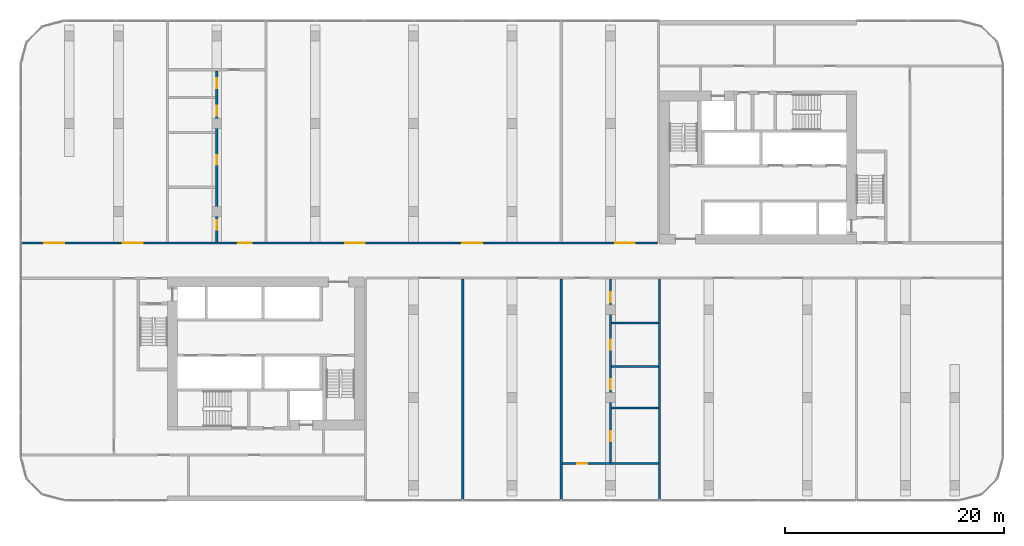
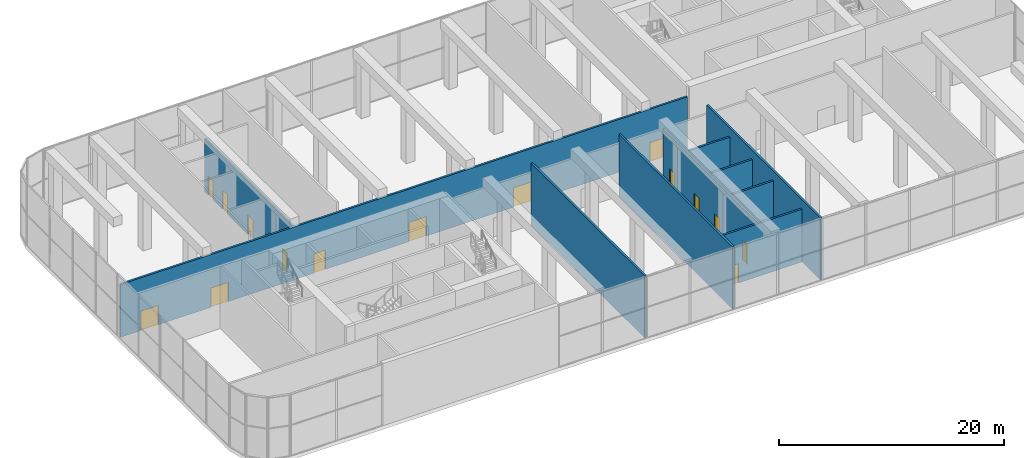
# One storey, part 13 of 23: 15 doors, 10 walls, 15 openings.
"""IFC4 building model written with IfcOpenShell, lengths in metres."""

import ifcopenshell
import ifcopenshell.guid

model = None  # the IFC model being written
_history = None  # IfcOwnerHistory: only IFC2X3 demands one
_inside = {}  # id of a spatial element -> (the spatial element, [elements in it])
_under = {}  # id of a project, library or spatial element -> (it, [spatial elements below it])
_declared = {}  # id of a project -> (the project, [libraries it declares])
_typed = {}  # id of a type object -> (the type object, [elements of that type])
_made_of = {}  # id of a material, layer set ... -> (it, [elements and type objects made of it])


def new_model(schema):
    """Start an empty IFC model of exactly this schema.

    Asked for "IFC4X3", IfcOpenShell would pick the latest addendum, in which some entities
    have other attributes; the version numbers below select the first issue.
    IFC2X3 requires an IfcOwnerHistory on every rooted entity: one is made here for all.
    """
    global model, _history
    if schema == "IFC4X3":
        model = ifcopenshell.file(schema_version=(4, 3, 0, 0))
    else:
        model = ifcopenshell.file(schema=schema)
    _inside.clear()
    _under.clear()
    _declared.clear()
    _typed.clear()
    _made_of.clear()
    _history = None
    if model.schema == "IFC2X3":
        org = make("IfcOrganization", Name="unknown")
        user = make(
            "IfcPersonAndOrganization",
            ThePerson=make("IfcPerson", FamilyName="unknown"),
            TheOrganization=org,
        )
        app = make(
            "IfcApplication",
            ApplicationDeveloper=org,
            Version="unknown",
            ApplicationFullName="unknown",
            ApplicationIdentifier="unknown",
        )
        _history = make(
            "IfcOwnerHistory",
            OwningUser=user,
            OwningApplication=app,
            ChangeAction="ADDED",
            CreationDate=0,
        )
    return model


def make(cls, **values):
    """One entity of the class cls with the attributes given. An attribute that is None is left unset."""
    return model.create_entity(
        cls, **{name: value for name, value in values.items() if value is not None}
    )


def rooted(cls, **values):
    """An entity with a GlobalId (a new one), such as an element, a storey or a relation."""
    return make(cls, GlobalId=ifcopenshell.guid.new(), OwnerHistory=_history, **values)


def si_unit(unit_type, name, prefix=None):
    """IfcSIUnit, for example si_unit("LENGTHUNIT", "METRE", prefix="MILLI")."""
    return make("IfcSIUnit", UnitType=unit_type, Prefix=prefix, Name=name)


def assignment(units):
    """IfcUnitAssignment: the units of a project."""
    return None if units is None else make("IfcUnitAssignment", Units=units)


def point(xyz):
    """IfcCartesianPoint."""
    return None if xyz is None else make("IfcCartesianPoint", Coordinates=xyz)


def direction(xyz):
    """IfcDirection."""
    return None if xyz is None else make("IfcDirection", DirectionRatios=xyz)


def frame(location, z_axis=None, x_axis=None):
    """IfcAxis2Placement3D, a coordinate frame: its origin and axes. An axis left out is left unset."""
    return make(
        "IfcAxis2Placement3D",
        Location=point(location),
        Axis=direction(z_axis),
        RefDirection=direction(x_axis),
    )


def frame_2d(location, x_axis=None):
    """IfcAxis2Placement2D, a coordinate frame in the plane: its origin and x axis."""
    return make(
        "IfcAxis2Placement2D", Location=point(location), RefDirection=direction(x_axis)
    )


def origin():
    """The frame at (0, 0, 0) with its axes left unset."""
    return frame((0.0, 0.0, 0.0))


def place(relative_to, where):
    """IfcLocalPlacement: puts the frame where relative to a parent placement (None: the world)."""
    return make(
        "IfcLocalPlacement", PlacementRelTo=relative_to, RelativePlacement=where
    )


def context(
    kind, dimensions, precision=None, world=None, true_north=None, identifier=None
):
    """IfcGeometricRepresentationContext, for example the 3D "Model" context."""
    return make(
        "IfcGeometricRepresentationContext",
        ContextIdentifier=identifier,
        ContextType=kind,
        CoordinateSpaceDimension=dimensions,
        Precision=precision,
        WorldCoordinateSystem=world,
        TrueNorth=true_north,
    )


def subcontext(parent, identifier, kind, view, scale=None):
    """IfcGeometricRepresentationSubContext, for example "Body" below "Model"."""
    return make(
        "IfcGeometricRepresentationSubContext",
        ContextIdentifier=identifier,
        ContextType=kind,
        ParentContext=parent,
        TargetScale=scale,
        TargetView=view,
    )


def project(units=None, contexts=None):
    """IfcProject with its units and contexts."""
    return rooted(
        "IfcProject",
        Name="project",
        RepresentationContexts=contexts,
        UnitsInContext=assignment(units),
    )


def spatial(cls, under=None, at=None, **own):
    """A site, building, storey or space (cls), placed at a placement, below another one or the project."""
    s = rooted(cls, ObjectPlacement=at, **own)
    if under is not None:
        _under.setdefault(under.id(), (under, []))[1].append(s)
    return s


def profile(cls, at=None, kind="AREA", **sizes):
    """A parametric profile (cls). Its sizes go by their IFC names, for example OverallWidth=200.0."""
    return make(cls, ProfileType=kind, Position=at, **sizes)


def rectangle(**sizes):
    """IfcRectangleProfileDef."""
    return profile("IfcRectangleProfileDef", **sizes)


def extrude(swept, where, along, depth):
    """IfcExtrudedAreaSolid: the profile swept, set in the frame where, extruded along a direction by depth."""
    return make(
        "IfcExtrudedAreaSolid",
        SweptArea=swept,
        Position=where,
        ExtrudedDirection=direction(along),
        Depth=depth,
    )


def shape(context_of_items, identifier, shape_type, items):
    """IfcShapeRepresentation: the items that make up one representation, for example the "Body"."""
    return make(
        "IfcShapeRepresentation",
        ContextOfItems=context_of_items,
        RepresentationIdentifier=identifier,
        RepresentationType=shape_type,
        Items=items,
    )


def material(Name=None, Category=None):
    """IfcMaterial."""
    return make("IfcMaterial", Name=Name, Category=Category)


def layer(
    of_material, thickness, ventilated=None, Name=None, Category=None, Priority=None
):
    """IfcMaterialLayer: one layer of a wall or slab, of a material (None: an air gap)."""
    return make(
        "IfcMaterialLayer",
        Material=of_material,
        LayerThickness=thickness,
        IsVentilated=ventilated,
        Name=Name,
        Category=Category,
        Priority=Priority,
    )


def layer_set(layers, Name=None):
    """IfcMaterialLayerSet."""
    return make("IfcMaterialLayerSet", MaterialLayers=layers, LayerSetName=Name)


def made_of(thing, what):
    """Note that an element or type object is made of a material, layer set ...; save() writes the relation."""
    if what is not None:
        _made_of.setdefault(what.id(), (what, []))[1].append(thing)
    return thing


def type_object(cls, material=None, **own):
    """A type object (cls), such as IfcWallType, which elements share."""
    return made_of(rooted(cls, **own), material)


def element(
    cls,
    number,
    at=None,
    inside=None,
    cuts=None,
    type_object=None,
    material=None,
    context=None,
    identifier="Body",
    shape_type=None,
    held_by="IfcProductDefinitionShape",
    body=None,
    shapes=None,
    **own,
):
    """One element of the class cls, such as IfcWall. Its Tag is "e" and its number.

    at: its placement. inside: the storey or other place that contains it. cuts: it is an
    opening in that element (IfcRelVoidsElement). A single representation is given by context,
    identifier, shape_type and body (its items); several are given by shapes. held_by: the class
    of the entity that holds the representations. save() writes the other relations.
    """
    e = rooted(cls, Tag="e%d" % number, ObjectPlacement=at, **own)
    if body is not None:
        shapes = [shape(context, identifier, shape_type, body)]
    if shapes is not None:
        e.Representation = make(held_by, Representations=shapes)
    if inside is not None:
        _inside.setdefault(inside.id(), (inside, []))[1].append(e)
    if cuts is not None:
        rooted(
            "IfcRelVoidsElement", RelatingBuildingElement=cuts, RelatedOpeningElement=e
        )
    if type_object is not None:
        _typed.setdefault(type_object.id(), (type_object, []))[1].append(e)
    return made_of(e, material)


def fill(opening, filler):
    """IfcRelFillsElement: the door or window that sits in an opening."""
    return rooted(
        "IfcRelFillsElement",
        RelatingOpeningElement=opening,
        RelatedBuildingElement=filler,
    )


def aggregate(whole, parts):
    """IfcRelAggregates: a whole, such as a stair, and the parts it consists of."""
    return rooted("IfcRelAggregates", RelatingObject=whole, RelatedObjects=parts)


def save(model, path):
    """Write the relations noted so far, then the file.

    IfcRelAggregates (storeys below a building ...), IfcRelContainedInSpatialStructure (elements
    in a storey), IfcRelDefinesByType, IfcRelAssociatesMaterial and IfcRelDeclares: one each for
    every whole, place, type object, material and project.
    """
    for whole, parts in _under.values():
        aggregate(whole, parts)
    for where, things in _inside.values():
        rooted(
            "IfcRelContainedInSpatialStructure",
            RelatedElements=things,
            RelatingStructure=where,
        )
    for kind, things in _typed.values():
        rooted("IfcRelDefinesByType", RelatedObjects=things, RelatingType=kind)
    for what, things in _made_of.values():
        rooted("IfcRelAssociatesMaterial", RelatedObjects=things, RelatingMaterial=what)
    for by, libraries in _declared.values():
        rooted("IfcRelDeclares", RelatingContext=by, RelatedDefinitions=libraries)
    model.write(path)


model = new_model("IFC4")

# Units and contexts
model_context = context("Model", 3, precision=1e-05, world=origin(), true_north=direction((0.0, 1.0)))
body_context = subcontext(model_context, "Body", "Model", "MODEL_VIEW")
ifc_project = project(units=[si_unit("LENGTHUNIT", "METRE"), si_unit("AREAUNIT", "SQUARE_METRE"), si_unit("VOLUMEUNIT", "CUBIC_METRE"), si_unit("PLANEANGLEUNIT", "RADIAN"), si_unit("MASSUNIT", "GRAM", prefix="KILO")], contexts=[model_context])

# Site, building, storey
site_placement = place(None, origin())
site = spatial("IfcSite", under=ifc_project, at=site_placement, CompositionType="ELEMENT")
building_placement = place(site_placement, origin())
building = spatial("IfcBuilding", under=site, at=building_placement, Name="Kajstack Hotel Tower", CompositionType="ELEMENT")
storey_placement = place(building_placement, frame((0.0, 0.0, 53.0)))
storey = spatial("IfcBuildingStorey", under=building, at=storey_placement, Name="L08", CompositionType="ELEMENT", Elevation=53.0)

# Wall, openings, doors
ifc_material_1 = material(Name="Gypsum board on steel studs, mineral wool", Category="steel")
ifc_layer = layer(ifc_material_1, 0.199951171875)
ifc_layer_set = layer_set([ifc_layer], Name="Public partition 200")
wall_type = type_object("IfcWallType", Name="Public partition 200", PredefinedType="PARTITIONING", material=ifc_layer_set)
wall_1_placement = place(storey_placement, frame((-27.0, 1.699951171875, 0.0), z_axis=(0.0, 0.0, 1.0), x_axis=(0.0, 1.0, 0.0)))
wall_1 = element("IfcWall", 1, at=wall_1_placement, inside=storey, type_object=wall_type, Name="Partition C2CW", PredefinedType="PARTITIONING", context=body_context, shape_type="SweptSolid", body=[
    extrude(rectangle(XDim=15.650146484375, YDim=0.199951171875, at=frame_2d((7.8251953125, 0.0))), origin(), (0.0, 0.0, 1.0), 5.719970703125),
])
opening_1_placement = place(wall_1_placement, frame((1.10009765625, 0.0, 0.0)))
opening_1 = element("IfcOpeningElement", 2, at=opening_1_placement, cuts=wall_1, Name="Opening 08P05", PredefinedType="OPENING", context=body_context, shape_type="SweptSolid", body=[
    extrude(rectangle(XDim=0.89990234375, YDim=2.10009765625, at=frame_2d((0.449951171875, 1.050048828125))), frame((0.0, 0.10986328125, 0.0), z_axis=(0.0, -1.0, 0.0), x_axis=(1.0, 0.0, 0.0)), (0.0, 0.0, 1.0), 0.219970703125),
])
opening_2_placement = place(wall_1_placement, frame((7.050048828125, 0.0, 0.0)))
opening_2 = element("IfcOpeningElement", 3, at=opening_2_placement, cuts=wall_1, Name="Opening 08P06", PredefinedType="OPENING", context=body_context, shape_type="SweptSolid", body=[
    extrude(rectangle(XDim=0.89990234375, YDim=2.10009765625, at=frame_2d((0.449951171875, 1.050048828125))), frame((0.0, 0.10986328125, 0.0), z_axis=(0.0, -1.0, 0.0), x_axis=(1.0, 0.0, 0.0)), (0.0, 0.0, 1.0), 0.219970703125),
])
opening_3_placement = place(wall_1_placement, frame((11.550048828125, 0.0, 0.0)))
opening_3 = element("IfcOpeningElement", 4, at=opening_3_placement, cuts=wall_1, Name="Opening 08P07", PredefinedType="OPENING", context=body_context, shape_type="SweptSolid", body=[
    extrude(rectangle(XDim=0.89990234375, YDim=2.10009765625, at=frame_2d((0.449951171875, 1.050048828125))), frame((0.0, 0.10986328125, 0.0), z_axis=(0.0, -1.0, 0.0), x_axis=(1.0, 0.0, 0.0)), (0.0, 0.0, 1.0), 0.219970703125),
])
opening_4_placement = place(wall_1_placement, frame((14.074951171875, 0.0, 0.0)))
opening_4 = element("IfcOpeningElement", 5, at=opening_4_placement, cuts=wall_1, Name="Opening 08P08", PredefinedType="OPENING", context=body_context, shape_type="SweptSolid", body=[
    extrude(rectangle(XDim=0.89990234375, YDim=2.10009765625, at=frame_2d((0.449951171875, 1.050048828125))), frame((0.0, 0.10986328125, 0.0), z_axis=(0.0, -1.0, 0.0), x_axis=(1.0, 0.0, 0.0)), (0.0, 0.0, 1.0), 0.219970703125),
])
ifc_material_2 = material(Name="Timber leaf", Category="wood")
door_type_1 = type_object("IfcDoorType", Name="Public room door 900", OperationType="SINGLE_SWING_LEFT", PredefinedType="DOOR", material=ifc_material_2)
door_1_placement = place(opening_1_placement, origin())
door_1 = element("IfcDoor", 6, at=door_1_placement, inside=storey, type_object=door_type_1, Name="Door 08P05", OperationType="SINGLE_SWING_LEFT", OverallHeight=2.10009765625, OverallWidth=0.89990234375, PredefinedType="DOOR", context=body_context, shape_type="SweptSolid", body=[
    extrude(rectangle(XDim=0.89990234375, YDim=2.10009765625, at=frame_2d((0.449951171875, 1.050048828125))), frame((0.0, 0.02490234375, 0.0), z_axis=(0.0, -1.0, 0.0), x_axis=(1.0, 0.0, 0.0)), (0.0, 0.0, 1.0), 0.050048828125),
])
fill(opening_1, door_1)
door_2_placement = place(opening_2_placement, origin())
door_2 = element("IfcDoor", 7, at=door_2_placement, inside=storey, type_object=door_type_1, Name="Door 08P06", OperationType="SINGLE_SWING_LEFT", OverallHeight=2.10009765625, OverallWidth=0.89990234375, PredefinedType="DOOR", context=body_context, shape_type="SweptSolid", body=[
    extrude(rectangle(XDim=0.89990234375, YDim=2.10009765625, at=frame_2d((0.449951171875, 1.050048828125))), frame((0.0, 0.02490234375, 0.0), z_axis=(0.0, -1.0, 0.0), x_axis=(1.0, 0.0, 0.0)), (0.0, 0.0, 1.0), 0.050048828125),
])
fill(opening_2, door_2)
door_3_placement = place(opening_3_placement, origin())
door_3 = element("IfcDoor", 8, at=door_3_placement, inside=storey, type_object=door_type_1, Name="Door 08P07", OperationType="SINGLE_SWING_LEFT", OverallHeight=2.10009765625, OverallWidth=0.89990234375, PredefinedType="DOOR", context=body_context, shape_type="SweptSolid", body=[
    extrude(rectangle(XDim=0.89990234375, YDim=2.10009765625, at=frame_2d((0.449951171875, 1.050048828125))), frame((0.0, 0.02490234375, 0.0), z_axis=(0.0, -1.0, 0.0), x_axis=(1.0, 0.0, 0.0)), (0.0, 0.0, 1.0), 0.050048828125),
])
fill(opening_3, door_3)
door_4_placement = place(opening_4_placement, origin())
door_4 = element("IfcDoor", 9, at=door_4_placement, inside=storey, type_object=door_type_1, Name="Door 08P08", OperationType="SINGLE_SWING_LEFT", OverallHeight=2.10009765625, OverallWidth=0.89990234375, PredefinedType="DOOR", context=body_context, shape_type="SweptSolid", body=[
    extrude(rectangle(XDim=0.89990234375, YDim=2.10009765625, at=frame_2d((0.449951171875, 1.050048828125))), frame((0.0, 0.02490234375, 0.0), z_axis=(0.0, -1.0, 0.0), x_axis=(1.0, 0.0, 0.0)), (0.0, 0.0, 1.0), 0.050048828125),
])
fill(opening_4, door_4)

wall_2_placement = place(storey_placement, frame((-44.85009765625, 1.60009765625, 0.0), z_axis=(0.0, 0.0, 1.0), x_axis=(1.0, 0.0, 0.0)))
wall_2 = element("IfcWall", 10, at=wall_2_placement, inside=storey, type_object=wall_type, Name="Partition FW", PredefinedType="PARTITIONING", context=body_context, shape_type="SweptSolid", body=[
    extrude(rectangle(XDim=58.150146484375, YDim=0.199951171875, at=frame_2d((29.0751953125, 0.0))), origin(), (0.0, 0.0, 1.0), 5.719970703125),
])
opening_5_placement = place(wall_2_placement, frame((54.300048828125, 0.0, 0.0)))
opening_5 = element("IfcOpeningElement", 11, at=opening_5_placement, cuts=wall_2, Name="Opening 08P01", PredefinedType="OPENING", context=body_context, shape_type="SweptSolid", body=[
    extrude(rectangle(XDim=1.800048828125, YDim=2.10009765625, at=frame_2d((0.89990234375, 1.050048828125))), frame((0.0, 0.10986328125, 0.0), z_axis=(0.0, -1.0, 0.0), x_axis=(1.0, 0.0, 0.0)), (0.0, 0.0, 1.0), 0.219970703125),
])
opening_6_placement = place(wall_2_placement, frame((40.31005859375, 0.0, 0.0)))
opening_6 = element("IfcOpeningElement", 12, at=opening_6_placement, cuts=wall_2, Name="Opening 08P02", PredefinedType="OPENING", context=body_context, shape_type="SweptSolid", body=[
    extrude(rectangle(XDim=1.800048828125, YDim=2.10009765625, at=frame_2d((0.89990234375, 1.050048828125))), frame((0.0, 0.10986328125, 0.0), z_axis=(0.0, -1.0, 0.0), x_axis=(1.0, 0.0, 0.0)), (0.0, 0.0, 1.0), 0.219970703125),
])
opening_7_placement = place(wall_2_placement, frame((29.590087890625, 0.0, 0.0)))
opening_7 = element("IfcOpeningElement", 13, at=opening_7_placement, cuts=wall_2, Name="Opening 08P03", PredefinedType="OPENING", context=body_context, shape_type="SweptSolid", body=[
    extrude(rectangle(XDim=1.800048828125, YDim=2.10009765625, at=frame_2d((0.89990234375, 1.050048828125))), frame((0.0, 0.10986328125, 0.0), z_axis=(0.0, -1.0, 0.0), x_axis=(1.0, 0.0, 0.0)), (0.0, 0.0, 1.0), 0.219970703125),
])
opening_8_placement = place(wall_2_placement, frame((19.824951171875, 0.0, 0.0)))
opening_8 = element("IfcOpeningElement", 14, at=opening_8_placement, cuts=wall_2, Name="Opening 08P04", PredefinedType="OPENING", context=body_context, shape_type="SweptSolid", body=[
    extrude(rectangle(XDim=1.199951171875, YDim=2.10009765625, at=frame_2d((0.60009765625, 1.050048828125))), frame((0.0, 0.10986328125, 0.0), z_axis=(0.0, -1.0, 0.0), x_axis=(1.0, 0.0, 0.0)), (0.0, 0.0, 1.0), 0.219970703125),
])
opening_9_placement = place(wall_2_placement, frame((9.264892578125, 0.0, 0.0)))
opening_9 = element("IfcOpeningElement", 15, at=opening_9_placement, cuts=wall_2, Name="Opening 08P10", PredefinedType="OPENING", context=body_context, shape_type="SweptSolid", body=[
    extrude(rectangle(XDim=1.800048828125, YDim=2.10009765625, at=frame_2d((0.89990234375, 1.050048828125))), frame((0.0, 0.10986328125, 0.0), z_axis=(0.0, -1.0, 0.0), x_axis=(1.0, 0.0, 0.0)), (0.0, 0.0, 1.0), 0.219970703125),
])
opening_10_placement = place(wall_2_placement, frame((2.0849609375, 0.0, 0.0)))
opening_10 = element("IfcOpeningElement", 16, at=opening_10_placement, cuts=wall_2, Name="Opening 08P11", PredefinedType="OPENING", context=body_context, shape_type="SweptSolid", body=[
    extrude(rectangle(XDim=1.800048828125, YDim=2.10009765625, at=frame_2d((0.89990234375, 1.050048828125))), frame((0.0, 0.10986328125, 0.0), z_axis=(0.0, -1.0, 0.0), x_axis=(1.0, 0.0, 0.0)), (0.0, 0.0, 1.0), 0.219970703125),
])
ifc_material_3 = material(Name="Timber leaf, fire-rated", Category="wood")
door_type_2 = type_object("IfcDoorType", Name="Public corridor door 1200", OperationType="SINGLE_SWING_LEFT", PredefinedType="DOOR", material=ifc_material_3)
door_5_placement = place(opening_8_placement, origin())
door_5 = element("IfcDoor", 17, at=door_5_placement, inside=storey, type_object=door_type_2, Name="Door 08P04", OperationType="SINGLE_SWING_LEFT", OverallHeight=2.10009765625, OverallWidth=1.199951171875, PredefinedType="DOOR", context=body_context, shape_type="SweptSolid", body=[
    extrude(rectangle(XDim=1.199951171875, YDim=2.10009765625, at=frame_2d((0.60009765625, 1.050048828125))), frame((0.0, 0.02490234375, 0.0), z_axis=(0.0, -1.0, 0.0), x_axis=(1.0, 0.0, 0.0)), (0.0, 0.0, 1.0), 0.050048828125),
])
fill(opening_8, door_5)
ifc_material_4 = material(Name="Glazed timber frame, fire-rated glass", Category="wood")
door_type_3 = type_object("IfcDoorType", Name="Public double door 1800", OperationType="DOUBLE_DOOR_DOUBLE_SWING", PredefinedType="DOOR", material=ifc_material_4)
door_6_placement = place(opening_5_placement, origin())
door_6 = element("IfcDoor", 18, at=door_6_placement, inside=storey, type_object=door_type_3, Name="Door 08P01", OperationType="DOUBLE_DOOR_DOUBLE_SWING", OverallHeight=2.10009765625, OverallWidth=1.800048828125, PredefinedType="DOOR", context=body_context, shape_type="SweptSolid", body=[
    extrude(rectangle(XDim=1.800048828125, YDim=2.10009765625, at=frame_2d((0.89990234375, 1.050048828125))), frame((0.0, 0.02490234375, 0.0), z_axis=(0.0, -1.0, 0.0), x_axis=(1.0, 0.0, 0.0)), (0.0, 0.0, 1.0), 0.050048828125),
])
fill(opening_5, door_6)
door_7_placement = place(opening_6_placement, origin())
door_7 = element("IfcDoor", 19, at=door_7_placement, inside=storey, type_object=door_type_3, Name="Door 08P02", OperationType="DOUBLE_DOOR_DOUBLE_SWING", OverallHeight=2.10009765625, OverallWidth=1.800048828125, PredefinedType="DOOR", context=body_context, shape_type="SweptSolid", body=[
    extrude(rectangle(XDim=1.800048828125, YDim=2.10009765625, at=frame_2d((0.89990234375, 1.050048828125))), frame((0.0, 0.02490234375, 0.0), z_axis=(0.0, -1.0, 0.0), x_axis=(1.0, 0.0, 0.0)), (0.0, 0.0, 1.0), 0.050048828125),
])
fill(opening_6, door_7)
door_8_placement = place(opening_7_placement, origin())
door_8 = element("IfcDoor", 20, at=door_8_placement, inside=storey, type_object=door_type_3, Name="Door 08P03", OperationType="DOUBLE_DOOR_DOUBLE_SWING", OverallHeight=2.10009765625, OverallWidth=1.800048828125, PredefinedType="DOOR", context=body_context, shape_type="SweptSolid", body=[
    extrude(rectangle(XDim=1.800048828125, YDim=2.10009765625, at=frame_2d((0.89990234375, 1.050048828125))), frame((0.0, 0.02490234375, 0.0), z_axis=(0.0, -1.0, 0.0), x_axis=(1.0, 0.0, 0.0)), (0.0, 0.0, 1.0), 0.050048828125),
])
fill(opening_7, door_8)
door_9_placement = place(opening_9_placement, origin())
door_9 = element("IfcDoor", 21, at=door_9_placement, inside=storey, type_object=door_type_3, Name="Door 08P10", OperationType="DOUBLE_DOOR_DOUBLE_SWING", OverallHeight=2.10009765625, OverallWidth=1.800048828125, PredefinedType="DOOR", context=body_context, shape_type="SweptSolid", body=[
    extrude(rectangle(XDim=1.800048828125, YDim=2.10009765625, at=frame_2d((0.89990234375, 1.050048828125))), frame((0.0, 0.02490234375, 0.0), z_axis=(0.0, -1.0, 0.0), x_axis=(1.0, 0.0, 0.0)), (0.0, 0.0, 1.0), 0.050048828125),
])
fill(opening_9, door_9)
door_10_placement = place(opening_10_placement, origin())
door_10 = element("IfcDoor", 22, at=door_10_placement, inside=storey, type_object=door_type_3, Name="Door 08P11", OperationType="DOUBLE_DOOR_DOUBLE_SWING", OverallHeight=2.10009765625, OverallWidth=1.800048828125, PredefinedType="DOOR", context=body_context, shape_type="SweptSolid", body=[
    extrude(rectangle(XDim=1.800048828125, YDim=2.10009765625, at=frame_2d((0.89990234375, 1.050048828125))), frame((0.0, 0.02490234375, 0.0), z_axis=(0.0, -1.0, 0.0), x_axis=(1.0, 0.0, 0.0)), (0.0, 0.0, 1.0), 0.050048828125),
])
fill(opening_10, door_10)

# Walls
for number, where, z_axis, x_axis, name in (
    (23, (-4.5, -21.85009765625, 0.0), (0.0, 0.0, 1.0), (0.0, 1.0, 0.0), "Partition SPX0"),
    (24, (4.5, -21.85009765625, 0.0), (0.0, 0.0, 1.0), (0.0, 1.0, 0.0), "Partition SPX1"),
):
    element("IfcWall", number, at=place(storey_placement, frame(where, z_axis=z_axis, x_axis=x_axis)), inside=storey, type_object=wall_type, Name=name, PredefinedType="PARTITIONING", context=body_context, shape_type="SweptSolid", body=[
        extrude(rectangle(XDim=20.150146484375, YDim=0.199951171875, at=frame_2d((10.0751953125, 0.0))), origin(), (0.0, 0.0, 1.0), 6.719970703125),
    ])

# Wall, openings, doors
wall_3_placement = place(storey_placement, frame((9.0, -18.449951171875, 0.0), z_axis=(0.0, 0.0, 1.0), x_axis=(0.0, 1.0, 0.0)))
wall_3 = element("IfcWall", 25, at=wall_3_placement, inside=storey, type_object=wall_type, Name="Partition SC2CW", PredefinedType="PARTITIONING", context=body_context, shape_type="SweptSolid", body=[
    extrude(rectangle(XDim=16.75, YDim=0.199951171875, at=frame_2d((8.375, 0.0))), origin(), (0.0, 0.0, 1.0), 5.719970703125),
])
opening_11_placement = place(wall_3_placement, frame((14.64990234375, 0.0, 0.0)))
opening_11 = element("IfcOpeningElement", 26, at=opening_11_placement, cuts=wall_3, Name="Opening 08P15", PredefinedType="OPENING", context=body_context, shape_type="SweptSolid", body=[
    extrude(rectangle(XDim=0.89990234375, YDim=2.10009765625, at=frame_2d((0.449951171875, 1.050048828125))), frame((0.0, 0.10986328125, 0.0), z_axis=(0.0, -1.0, 0.0), x_axis=(1.0, 0.0, 0.0)), (0.0, 0.0, 1.0), 0.219970703125),
])
opening_12_placement = place(wall_3_placement, frame((10.300048828125, 0.0, 0.0)))
opening_12 = element("IfcOpeningElement", 27, at=opening_12_placement, cuts=wall_3, Name="Opening 08P16", PredefinedType="OPENING", context=body_context, shape_type="SweptSolid", body=[
    extrude(rectangle(XDim=0.89990234375, YDim=2.10009765625, at=frame_2d((0.449951171875, 1.050048828125))), frame((0.0, 0.10986328125, 0.0), z_axis=(0.0, -1.0, 0.0), x_axis=(1.0, 0.0, 0.0)), (0.0, 0.0, 1.0), 0.219970703125),
])
opening_13_placement = place(wall_3_placement, frame((6.699951171875, 0.0, 0.0)))
opening_13 = element("IfcOpeningElement", 28, at=opening_13_placement, cuts=wall_3, Name="Opening 08P17", PredefinedType="OPENING", context=body_context, shape_type="SweptSolid", body=[
    extrude(rectangle(XDim=0.89990234375, YDim=2.10009765625, at=frame_2d((0.449951171875, 1.050048828125))), frame((0.0, 0.10986328125, 0.0), z_axis=(0.0, -1.0, 0.0), x_axis=(1.0, 0.0, 0.0)), (0.0, 0.0, 1.0), 0.219970703125),
])
opening_14_placement = place(wall_3_placement, frame((1.925048828125, 0.0, 0.0)))
opening_14 = element("IfcOpeningElement", 29, at=opening_14_placement, cuts=wall_3, Name="Opening 08P18", PredefinedType="OPENING", context=body_context, shape_type="SweptSolid", body=[
    extrude(rectangle(XDim=0.89990234375, YDim=2.10009765625, at=frame_2d((0.449951171875, 1.050048828125))), frame((0.0, 0.10986328125, 0.0), z_axis=(0.0, -1.0, 0.0), x_axis=(1.0, 0.0, 0.0)), (0.0, 0.0, 1.0), 0.219970703125),
])
door_11_placement = place(opening_11_placement, origin())
door_11 = element("IfcDoor", 30, at=door_11_placement, inside=storey, type_object=door_type_1, Name="Door 08P15", OperationType="SINGLE_SWING_RIGHT", OverallHeight=2.10009765625, OverallWidth=0.89990234375, PredefinedType="DOOR", context=body_context, shape_type="SweptSolid", body=[
    extrude(rectangle(XDim=0.89990234375, YDim=2.10009765625, at=frame_2d((0.449951171875, 1.050048828125))), frame((0.0, 0.02490234375, 0.0), z_axis=(0.0, -1.0, 0.0), x_axis=(1.0, 0.0, 0.0)), (0.0, 0.0, 1.0), 0.050048828125),
])
fill(opening_11, door_11)
door_12_placement = place(opening_12_placement, origin())
door_12 = element("IfcDoor", 31, at=door_12_placement, inside=storey, type_object=door_type_1, Name="Door 08P16", OperationType="SINGLE_SWING_RIGHT", OverallHeight=2.10009765625, OverallWidth=0.89990234375, PredefinedType="DOOR", context=body_context, shape_type="SweptSolid", body=[
    extrude(rectangle(XDim=0.89990234375, YDim=2.10009765625, at=frame_2d((0.449951171875, 1.050048828125))), frame((0.0, 0.02490234375, 0.0), z_axis=(0.0, -1.0, 0.0), x_axis=(1.0, 0.0, 0.0)), (0.0, 0.0, 1.0), 0.050048828125),
])
fill(opening_12, door_12)
door_13_placement = place(opening_13_placement, origin())
door_13 = element("IfcDoor", 32, at=door_13_placement, inside=storey, type_object=door_type_1, Name="Door 08P17", OperationType="SINGLE_SWING_RIGHT", OverallHeight=2.10009765625, OverallWidth=0.89990234375, PredefinedType="DOOR", context=body_context, shape_type="SweptSolid", body=[
    extrude(rectangle(XDim=0.89990234375, YDim=2.10009765625, at=frame_2d((0.449951171875, 1.050048828125))), frame((0.0, 0.02490234375, 0.0), z_axis=(0.0, -1.0, 0.0), x_axis=(1.0, 0.0, 0.0)), (0.0, 0.0, 1.0), 0.050048828125),
])
fill(opening_13, door_13)
door_14_placement = place(opening_14_placement, origin())
door_14 = element("IfcDoor", 33, at=door_14_placement, inside=storey, type_object=door_type_1, Name="Door 08P18", OperationType="SINGLE_SWING_RIGHT", OverallHeight=2.10009765625, OverallWidth=0.89990234375, PredefinedType="DOOR", context=body_context, shape_type="SweptSolid", body=[
    extrude(rectangle(XDim=0.89990234375, YDim=2.10009765625, at=frame_2d((0.449951171875, 1.050048828125))), frame((0.0, 0.02490234375, 0.0), z_axis=(0.0, -1.0, 0.0), x_axis=(1.0, 0.0, 0.0)), (0.0, 0.0, 1.0), 0.050048828125),
])
fill(opening_14, door_14)

# Walls
for number, where, z_axis, x_axis, name in (
    (34, (9.10009765625, -5.699951171875, 0.0), (0.0, 0.0, 1.0), (1.0, 0.0, 0.0), "Partition SC2wP0"),
    (35, (9.10009765625, -9.699951171875, 0.0), (0.0, 0.0, 1.0), (1.0, 0.0, 0.0), "Partition SC2wP1"),
    (36, (9.10009765625, -13.5, 0.0), (0.0, 0.0, 1.0), (1.0, 0.0, 0.0), "Partition SC2wP2"),
):
    element("IfcWall", number, at=place(storey_placement, frame(where, z_axis=z_axis, x_axis=x_axis)), inside=storey, type_object=wall_type, Name=name, PredefinedType="PARTITIONING", context=body_context, shape_type="SweptSolid", body=[
        extrude(rectangle(XDim=4.2998046875, YDim=0.199951171875, at=frame_2d((2.14990234375, 0.0))), origin(), (0.0, 0.0, 1.0), 5.719970703125),
    ])

# Wall, opening, door
wall_4_placement = place(storey_placement, frame((4.60009765625, -18.550048828125, 0.0), z_axis=(0.0, 0.0, 1.0), x_axis=(1.0, 0.0, 0.0)))
wall_4 = element("IfcWall", 37, at=wall_4_placement, inside=storey, type_object=wall_type, Name="Partition SC2BW", PredefinedType="PARTITIONING", context=body_context, shape_type="SweptSolid", body=[
    extrude(rectangle(XDim=8.7998046875, YDim=0.199951171875, at=frame_2d((4.39990234375, 0.0))), origin(), (0.0, 0.0, 1.0), 5.719970703125),
])
opening_15_placement = place(wall_4_placement, frame((1.375, 0.0, 0.0)))
opening_15 = element("IfcOpeningElement", 38, at=opening_15_placement, cuts=wall_4, Name="Opening 08P19", PredefinedType="OPENING", context=body_context, shape_type="SweptSolid", body=[
    extrude(rectangle(XDim=0.89990234375, YDim=2.10009765625, at=frame_2d((0.449951171875, 1.050048828125))), frame((0.0, 0.10986328125, 0.0), z_axis=(0.0, -1.0, 0.0), x_axis=(1.0, 0.0, 0.0)), (0.0, 0.0, 1.0), 0.219970703125),
])
door_15_placement = place(opening_15_placement, origin())
door_15 = element("IfcDoor", 39, at=door_15_placement, inside=storey, type_object=door_type_1, Name="Door 08P19", OperationType="SINGLE_SWING_RIGHT", OverallHeight=2.10009765625, OverallWidth=0.89990234375, PredefinedType="DOOR", context=body_context, shape_type="SweptSolid", body=[
    extrude(rectangle(XDim=0.89990234375, YDim=2.10009765625, at=frame_2d((0.449951171875, 1.050048828125))), frame((0.0, 0.02490234375, 0.0), z_axis=(0.0, -1.0, 0.0), x_axis=(1.0, 0.0, 0.0)), (0.0, 0.0, 1.0), 0.050048828125),
])
fill(opening_15, door_15)

# Wall
wall_5_placement = place(storey_placement, frame((13.5, -21.85009765625, 0.0), z_axis=(0.0, 0.0, 1.0), x_axis=(0.0, 1.0, 0.0)))
element("IfcWall", 40, at=wall_5_placement, inside=storey, type_object=wall_type, Name="Partition SPX2", PredefinedType="PARTITIONING", context=body_context, shape_type="SweptSolid", body=[
    extrude(rectangle(XDim=20.150146484375, YDim=0.199951171875, at=frame_2d((10.0751953125, 0.0))), origin(), (0.0, 0.0, 1.0), 6.719970703125),
])

save(model, "model.ifc")
